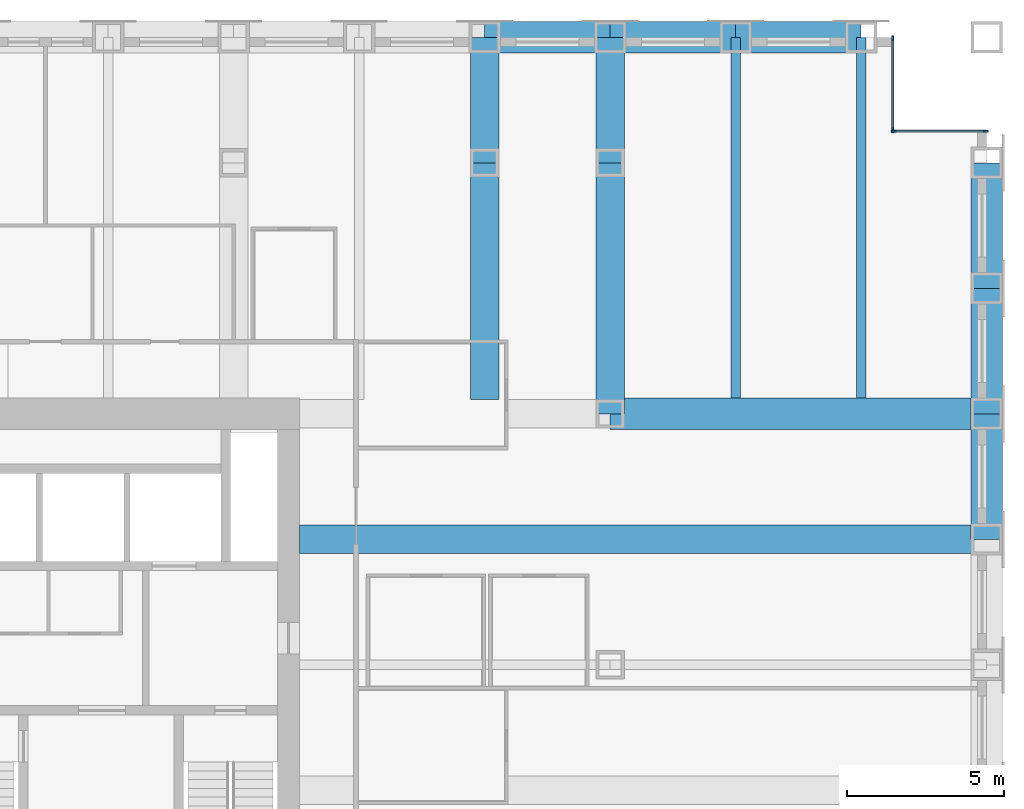
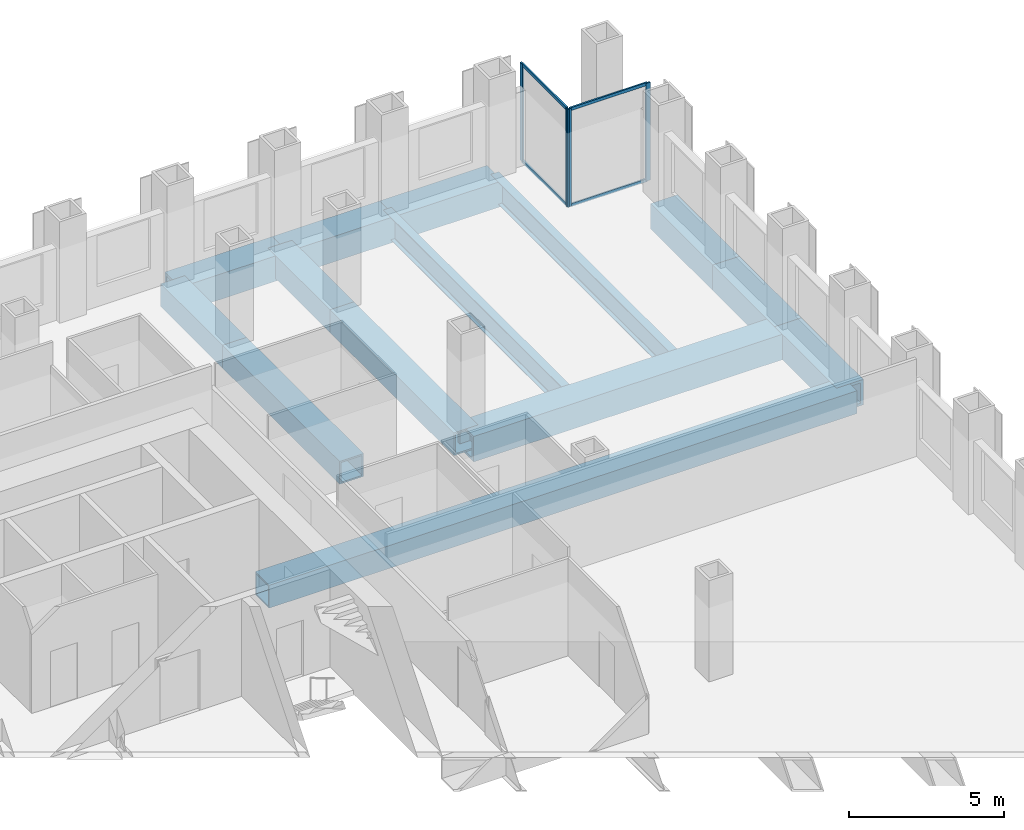
# One storey, part 9 of 16: 14 beams, 8 members, 2 elements without a shape of their own.
"""IFC4 building model written with IfcOpenShell, lengths in metres."""

from ifc_helpers import new_model, si_unit, direction, frame, origin, origin_2d, place, context, subcontext, project, spatial, rectangle, hollow_rectangle, i_section, extrude, material, material_profile, profile_set, type_object, element, aggregate, save


model = new_model("IFC4")

# Units and contexts
model_context = context("Model", 3, precision=1e-05, world=origin(), true_north=direction((0.0, 1.0)))
body_context = subcontext(model_context, "Body", "Model", "MODEL_VIEW")
ifc_project = project(units=[si_unit("LENGTHUNIT", "METRE"), si_unit("AREAUNIT", "SQUARE_METRE"), si_unit("VOLUMEUNIT", "CUBIC_METRE"), si_unit("PLANEANGLEUNIT", "RADIAN"), si_unit("MASSUNIT", "GRAM", prefix="KILO")], contexts=[model_context])

# Site, building, storey
site_placement = place(None, origin())
site = spatial("IfcSite", under=ifc_project, at=site_placement, CompositionType="ELEMENT")
building_placement = place(site_placement, origin())
building = spatial("IfcBuilding", under=site, at=building_placement, Name="Rimbunsela Tower", CompositionType="ELEMENT")
storey_placement = place(building_placement, frame((0.0, 0.0, 93.39990234375)))
storey = spatial("IfcBuildingStorey", under=building, at=storey_placement, Name="L22", CompositionType="ELEMENT", Elevation=93.39990234375)

# Beams
ifc_material_1 = material(Name="Steel BJ 55 (fy 410 MPa)", Category="steel")
ifc_material_profile_1 = material_profile(ifc_material_1, hollow_rectangle(XDim=1.0, YDim=1.0, WallThickness=0.10009765625, at=origin_2d()), Name="BOX 1000x1000x100")
ifc_profile_set_1 = profile_set([ifc_material_profile_1], Name="Steel BJ 55 (fy 410 MPa)")
beam_type_1 = type_object("IfcBeamType", Name="Beam BOX 1000x1000x100", PredefinedType="BEAM", material=ifc_profile_set_1)
beam_1_placement = place(storey_placement, frame((42.0, 48.0, -0.64990234375), z_axis=(1.0, 0.0, 0.0), x_axis=(0.0, 1.0, 0.0)))
element("IfcBeam", 1, at=beam_1_placement, inside=storey, type_object=beam_type_1, Name="Beam B3 L22", PredefinedType="BEAM", context=body_context, shape_type="SweptSolid", body=[
    extrude(hollow_rectangle(XDim=1.0, YDim=1.0, WallThickness=0.10009765625, at=origin_2d()), origin(), (0.0, 0.0, 1.0), 4.0),
])
beam_2_placement = place(storey_placement, frame((46.0, 36.0, -0.64990234375), z_axis=(1.0, 0.0, 0.0), x_axis=(0.0, 1.0, 0.0)))
element("IfcBeam", 2, at=beam_2_placement, inside=storey, type_object=beam_type_1, Name="Beam B3 L22", PredefinedType="BEAM", context=body_context, shape_type="SweptSolid", body=[
    extrude(hollow_rectangle(XDim=1.0, YDim=1.0, WallThickness=0.10009765625, at=origin_2d()), origin(), (0.0, 0.0, 1.0), 12.0),
])
for number, where, z_axis, x_axis, name in (
    (3, (46.0, 48.0, -0.64990234375), (1.0, 0.0, 0.0), (0.0, 1.0, 0.0), "Beam B3 L22"),
    (4, (50.0, 48.0, -0.64990234375), (1.0, 0.0, 0.0), (0.0, 1.0, 0.0), "Beam B3 L22"),
    (5, (58.0, 32.0, -0.64990234375), (0.0, 1.0, 0.0), (-1.0, 0.0, 0.0), "Beam B3 L22"),
    (6, (58.0, 36.0, -0.64990234375), (0.0, 1.0, 0.0), (-1.0, 0.0, 0.0), "Beam B3 L22"),
    (7, (58.0, 40.0, -0.64990234375), (0.0, 1.0, 0.0), (-1.0, 0.0, 0.0), "Beam B3 L22"),
):
    element("IfcBeam", number, at=place(storey_placement, frame(where, z_axis=z_axis, x_axis=x_axis)), inside=storey, type_object=beam_type_1, Name=name, PredefinedType="BEAM", context=body_context, shape_type="SweptSolid", body=[
        extrude(hollow_rectangle(XDim=1.0, YDim=1.0, WallThickness=0.10009765625, at=origin_2d()), origin(), (0.0, 0.0, 1.0), 4.0),
    ])
ifc_material_2 = material(Name="Steel BJ 55 (fy 410 MPa)", Category="steel")
ifc_material_profile_2 = material_profile(ifc_material_2, hollow_rectangle(XDim=0.89990234375, YDim=0.89990234375, WallThickness=0.06005859375, at=origin_2d()), Name="BOX 900x900x60")
ifc_profile_set_2 = profile_set([ifc_material_profile_2], Name="Steel BJ 55 (fy 410 MPa)")
beam_type_2 = type_object("IfcBeamType", Name="Beam BOX 900x900x60", PredefinedType="BEAM", material=ifc_profile_set_2)
beam_3_placement = place(storey_placement, frame((36.10009765625, 32.0, -0.599853515625), z_axis=(1.0, 0.0, 0.0), x_axis=(0.0, 1.0, 0.0)))
element("IfcBeam", 8, at=beam_3_placement, inside=storey, type_object=beam_type_2, Name="Beam B1 L22", PredefinedType="BEAM", context=body_context, shape_type="SweptSolid", body=[
    extrude(hollow_rectangle(XDim=0.89990234375, YDim=0.89990234375, WallThickness=0.06005859375, at=origin_2d()), origin(), (0.0, 0.0, 1.0), 21.89990234375),
])
beam_4_placement = place(storey_placement, frame((42.0, 36.449951171875, -0.599853515625), z_axis=(0.0, 1.0, 0.0), x_axis=(-1.0, 0.0, 0.0)))
element("IfcBeam", 9, at=beam_4_placement, inside=storey, type_object=beam_type_2, Name="Beam B1 L22", PredefinedType="BEAM", context=body_context, shape_type="SweptSolid", body=[
    extrude(hollow_rectangle(XDim=0.89990234375, YDim=0.89990234375, WallThickness=0.06005859375, at=origin_2d()), origin(), (0.0, 0.0, 1.0), 7.550048828125),
])
beam_5_placement = place(storey_placement, frame((42.0, 44.0, -0.599853515625), z_axis=(0.0, 1.0, 0.0), x_axis=(-1.0, 0.0, 0.0)))
element("IfcBeam", 10, at=beam_5_placement, inside=storey, type_object=beam_type_2, Name="Beam B1 L22", PredefinedType="BEAM", context=body_context, shape_type="SweptSolid", body=[
    extrude(hollow_rectangle(XDim=0.89990234375, YDim=0.89990234375, WallThickness=0.06005859375, at=origin_2d()), origin(), (0.0, 0.0, 1.0), 4.0),
])
beam_6_placement = place(storey_placement, frame((46.0, 36.0, -0.599853515625), z_axis=(0.0, 1.0, 0.0), x_axis=(-1.0, 0.0, 0.0)))
element("IfcBeam", 11, at=beam_6_placement, inside=storey, type_object=beam_type_2, Name="Beam B1 L22", PredefinedType="BEAM", context=body_context, shape_type="SweptSolid", body=[
    extrude(hollow_rectangle(XDim=0.89990234375, YDim=0.89990234375, WallThickness=0.06005859375, at=origin_2d()), origin(), (0.0, 0.0, 1.0), 8.0),
])
beam_7_placement = place(storey_placement, frame((46.0, 44.0, -0.599853515625), z_axis=(0.0, 1.0, 0.0), x_axis=(-1.0, 0.0, 0.0)))
element("IfcBeam", 12, at=beam_7_placement, inside=storey, type_object=beam_type_2, Name="Beam B1 L22", PredefinedType="BEAM", context=body_context, shape_type="SweptSolid", body=[
    extrude(hollow_rectangle(XDim=0.89990234375, YDim=0.89990234375, WallThickness=0.06005859375, at=origin_2d()), origin(), (0.0, 0.0, 1.0), 4.0),
])
ifc_material_3 = material(Name="Steel BJ 55 (fy 410 MPa)", Category="steel")
ifc_material_profile_3 = material_profile(ifc_material_3, i_section(OverallWidth=0.300048828125, OverallDepth=0.89990234375, WebThickness=0.01611328125, FlangeThickness=0.028076171875, FilletRadius=0.028076171875, at=origin_2d()), Name="H 900x300x16x28")
ifc_profile_set_3 = profile_set([ifc_material_profile_3], Name="Steel BJ 55 (fy 410 MPa)")
beam_type_3 = type_object("IfcBeamType", Name="Beam H 900x300x16x28", PredefinedType="BEAM", material=ifc_profile_set_3)
for number, where, z_axis, x_axis, name in (
    (13, (50.0, 36.5, -0.599853515625), (0.0, 1.0, 0.0), (-1.0, 0.0, 0.0), "Beam B2 L22"),
    (14, (54.0, 36.5, -0.599853515625), (0.0, 1.0, 0.0), (-1.0, 0.0, 0.0), "Beam B2 L22"),
):
    element("IfcBeam", number, at=place(storey_placement, frame(where, z_axis=z_axis, x_axis=x_axis)), inside=storey, type_object=beam_type_3, Name=name, PredefinedType="BEAM", context=body_context, shape_type="SweptSolid", body=[
        extrude(i_section(OverallWidth=0.300048828125, OverallDepth=0.89990234375, WebThickness=0.01611328125, FlangeThickness=0.028076171875, FilletRadius=0.028076171875, at=origin_2d()), origin(), (0.0, 0.0, 1.0), 11.5),
    ])

# Curtain wall, members
ifc_material_4 = material(Name="Aluminium curtain wall", Category="aluminium")
curtain_wall_type = type_object("IfcCurtainWallType", Name="Corner glazing", PredefinedType="USERDEFINED", material=ifc_material_4)
curtain_wall_1_placement = place(storey_placement, origin())
curtain_wall_1 = element("IfcCurtainWall", 15, at=curtain_wall_1_placement, inside=storey, type_object=curtain_wall_type, Name="Corner glazing L22", ObjectType="CORNER GLAZING", PredefinedType="USERDEFINED")
ifc_material_5 = material(Name="Aluminium mullion", Category="aluminium")
ifc_material_profile_4 = material_profile(ifc_material_5, rectangle(XDim=0.06005859375, YDim=0.159912109375, at=origin_2d()), Name="Mullion 60x160")
ifc_profile_set_4 = profile_set([ifc_material_profile_4], Name="Aluminium mullion")
member_type_1 = type_object("IfcMemberType", Name="Curtain wall mullion 60x160", PredefinedType="MULLION", material=ifc_profile_set_4)
member_1_placement = place(storey_placement, frame((57.969970703125, 45.0, 0.0), z_axis=(0.0, 0.0, 1.0), x_axis=(0.0, -1.0, 0.0)))
member_1 = element("IfcMember", 16, at=member_1_placement, type_object=member_type_1, Name="CW5 mullion 1", PredefinedType="MULLION", context=body_context, shape_type="SweptSolid", body=[
    extrude(rectangle(XDim=0.06005859375, YDim=0.159912109375, at=origin_2d()), origin(), (0.0, 0.0, 1.0), 3.85009765625),
])
member_2_placement = place(storey_placement, frame((55.030029296875, 45.0, 0.0), z_axis=(0.0, 0.0, 1.0), x_axis=(0.0, -1.0, 0.0)))
member_2 = element("IfcMember", 17, at=member_2_placement, type_object=member_type_1, Name="CW5 mullion 2", PredefinedType="MULLION", context=body_context, shape_type="SweptSolid", body=[
    extrude(rectangle(XDim=0.06005859375, YDim=0.159912109375, at=origin_2d()), origin(), (0.0, 0.0, 1.0), 3.85009765625),
])

curtain_wall_2_placement = place(storey_placement, origin())
curtain_wall_2 = element("IfcCurtainWall", 18, at=curtain_wall_2_placement, inside=storey, type_object=curtain_wall_type, Name="Corner glazing L22", ObjectType="CORNER GLAZING", PredefinedType="USERDEFINED")
member_3_placement = place(storey_placement, frame((55.0, 45.030029296875, 0.0), z_axis=(0.0, 0.0, 1.0), x_axis=(-1.0, 0.0, 0.0)))
member_3 = element("IfcMember", 19, at=member_3_placement, type_object=member_type_1, Name="CW5 mullion 1", PredefinedType="MULLION", context=body_context, shape_type="SweptSolid", body=[
    extrude(rectangle(XDim=0.06005859375, YDim=0.159912109375, at=origin_2d()), origin(), (0.0, 0.0, 1.0), 3.85009765625),
])
member_4_placement = place(storey_placement, frame((55.0, 47.969970703125, 0.0), z_axis=(0.0, 0.0, 1.0), x_axis=(-1.0, 0.0, 0.0)))
member_4 = element("IfcMember", 20, at=member_4_placement, type_object=member_type_1, Name="CW5 mullion 2", PredefinedType="MULLION", context=body_context, shape_type="SweptSolid", body=[
    extrude(rectangle(XDim=0.06005859375, YDim=0.159912109375, at=origin_2d()), origin(), (0.0, 0.0, 1.0), 3.85009765625),
])

# Member
ifc_material_6 = material(Name="Aluminium transom", Category="aluminium")
ifc_material_profile_5 = material_profile(ifc_material_6, rectangle(XDim=0.06005859375, YDim=0.1201171875, at=origin_2d()), Name="Transom 60x120")
ifc_profile_set_5 = profile_set([ifc_material_profile_5], Name="Aluminium transom")
member_type_2 = type_object("IfcMemberType", Name="Curtain wall transom 60x120", PredefinedType="USERDEFINED", material=ifc_profile_set_5)
member_5_placement = place(storey_placement, frame((57.93994140625, 45.0, 0.030029296875), z_axis=(-1.0, 0.0, 0.0), x_axis=(0.0, -1.0, 0.0)))
member_5 = element("IfcMember", 21, at=member_5_placement, type_object=member_type_2, Name="CW5 transom 1.1", ObjectType="TRANSOM", PredefinedType="USERDEFINED", context=body_context, shape_type="SweptSolid", body=[
    extrude(rectangle(XDim=0.06005859375, YDim=0.1201171875, at=origin_2d()), origin(), (0.0, 0.0, 1.0), 2.8798828125),
])

member_6_placement = place(storey_placement, frame((57.93994140625, 45.0, 3.820068359375), z_axis=(-1.0, 0.0, 0.0), x_axis=(0.0, -1.0, 0.0)))
member_6 = element("IfcMember", 22, at=member_6_placement, type_object=member_type_2, Name="CW5 transom 1.2", ObjectType="TRANSOM", PredefinedType="USERDEFINED", context=body_context, shape_type="SweptSolid", body=[
    extrude(rectangle(XDim=0.06005859375, YDim=0.1201171875, at=origin_2d()), origin(), (0.0, 0.0, 1.0), 2.8798828125),
])

aggregate(curtain_wall_1, [member_1, member_2, member_5, member_6])

member_7_placement = place(storey_placement, frame((55.0, 45.06005859375, 0.030029296875), z_axis=(0.0, 1.0, 0.0), x_axis=(-1.0, 0.0, 0.0)))
member_7 = element("IfcMember", 23, at=member_7_placement, type_object=member_type_2, Name="CW5 transom 1.1", ObjectType="TRANSOM", PredefinedType="USERDEFINED", context=body_context, shape_type="SweptSolid", body=[
    extrude(rectangle(XDim=0.06005859375, YDim=0.1201171875, at=origin_2d()), origin(), (0.0, 0.0, 1.0), 2.8798828125),
])

member_8_placement = place(storey_placement, frame((55.0, 45.06005859375, 3.820068359375), z_axis=(0.0, 1.0, 0.0), x_axis=(-1.0, 0.0, 0.0)))
member_8 = element("IfcMember", 24, at=member_8_placement, type_object=member_type_2, Name="CW5 transom 1.2", ObjectType="TRANSOM", PredefinedType="USERDEFINED", context=body_context, shape_type="SweptSolid", body=[
    extrude(rectangle(XDim=0.06005859375, YDim=0.1201171875, at=origin_2d()), origin(), (0.0, 0.0, 1.0), 2.8798828125),
])

aggregate(curtain_wall_2, [member_3, member_4, member_7, member_8])

save(model, "model.ifc")
